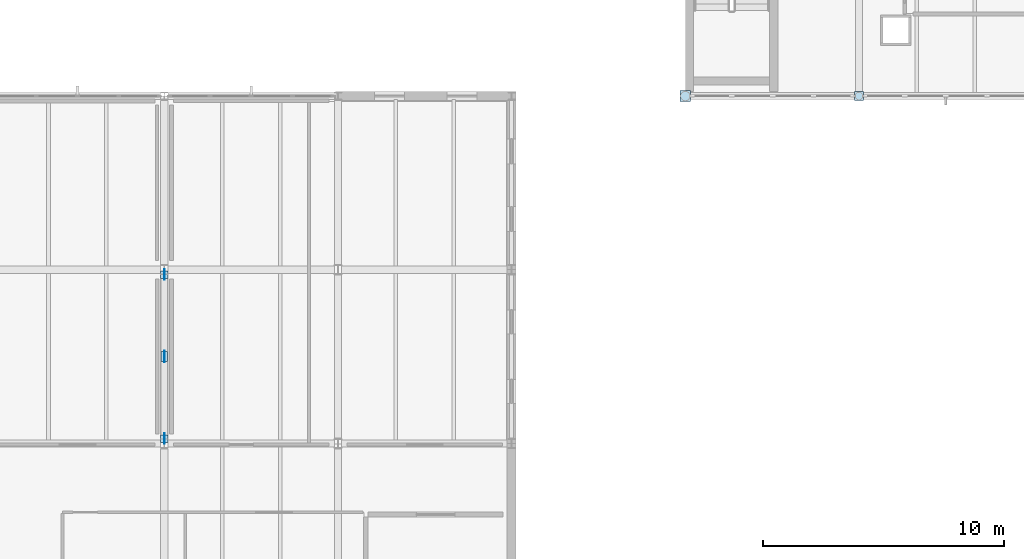
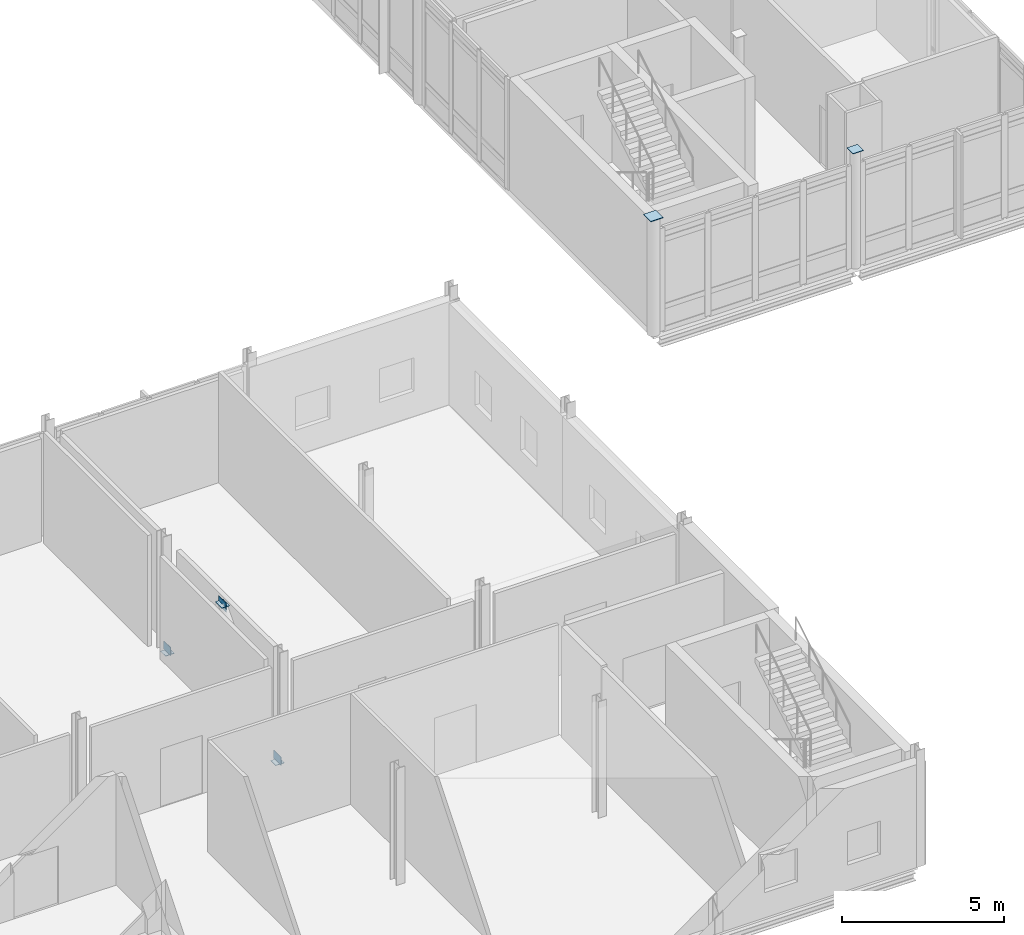
# One storey, part 46 of 76: 8 plates.
"""IFC4 building model written with IfcOpenShell, lengths in metres."""

from ifc_helpers import new_model, si_unit, direction, frame, origin, origin_2d, place, context, subcontext, project, spatial, rectangle, extrude, material, layer, layer_set, type_object, element, save


model = new_model("IFC4")

# Units and contexts
model_context = context("Model", 3, precision=1e-05, world=origin(), true_north=direction((0.0, 1.0)))
body_context = subcontext(model_context, "Body", "Model", "MODEL_VIEW")
ifc_project = project(units=[si_unit("LENGTHUNIT", "METRE"), si_unit("AREAUNIT", "SQUARE_METRE"), si_unit("VOLUMEUNIT", "CUBIC_METRE"), si_unit("PLANEANGLEUNIT", "RADIAN"), si_unit("MASSUNIT", "GRAM", prefix="KILO")], contexts=[model_context])

# Site, building, storey
site_placement = place(None, origin())
site = spatial("IfcSite", under=ifc_project, at=site_placement, CompositionType="ELEMENT")
building_placement = place(site_placement, origin())
building = spatial("IfcBuilding", under=site, at=building_placement, Name="Zarrinpeak Specialist Clinic", CompositionType="ELEMENT")
storey_placement = place(building_placement, frame((0.0, 0.0, 5.199951171875)))
storey = spatial("IfcBuildingStorey", under=building, at=storey_placement, Name="L01", CompositionType="ELEMENT", Elevation=5.199951171875)

# Plates
ifc_material = material(Name="Steel S355", Category="steel")
ifc_layer_1 = layer(ifc_material, 0.01806640625)
ifc_layer_set_1 = layer_set([ifc_layer_1], Name="Steel S355")
plate_type_1 = type_object("IfcPlateType", Name="PL-CAP273", PredefinedType="SHEET", material=ifc_layer_set_1)
for number, where, z_axis, x_axis, name in (
    (1, (72.0, 14.60009765625, 0.0), (0.0, 0.0, 1.0), (1.0, 0.0, 0.0), "V4 L01 Hollow Brace Foot Cap Plate A"),
    (2, (72.0, 21.39990234375, 0.0), (0.0, 0.0, 1.0), (1.0, 0.0, 0.0), "V4 L01 Hollow Brace Foot Cap Plate B"),
):
    element("IfcPlate", number, at=place(storey_placement, frame(where, z_axis=z_axis, x_axis=x_axis)), inside=storey, type_object=plate_type_1, Name=name, PredefinedType="SHEET", context=body_context, shape_type="SweptSolid", body=[
        extrude(rectangle(XDim=0.31005859375, YDim=0.31005859375, at=origin_2d()), origin(), (0.0, 0.0, 1.0), 0.01806640625),
    ])
ifc_layer_2 = layer(ifc_material, 0.02001953125)
ifc_layer_set_2 = layer_set([ifc_layer_2], Name="Steel S355")
plate_type_2 = type_object("IfcPlateType", Name="PL-CAP324", PredefinedType="SHEET", material=ifc_layer_set_2)
plate_1_placement = place(storey_placement, frame((100.800048828125, 28.800048828125, 4.39599609375), z_axis=(0.0, 0.0, 1.0), x_axis=(1.0, 0.0, 0.0)))
element("IfcPlate", 3, at=plate_1_placement, inside=storey, type_object=plate_type_2, Name="L01 Hollow Column Top Cap Plate CCAP-T-071", PredefinedType="SHEET", context=body_context, shape_type="SweptSolid", body=[
    extrude(rectangle(XDim=0.3701171875, YDim=0.3701171875, at=origin_2d()), origin(), (0.0, 0.0, 1.0), 0.02001953125),
])
ifc_layer_3 = layer(ifc_material, 0.02197265625)
ifc_layer_set_3 = layer_set([ifc_layer_3], Name="Steel S355")
plate_type_3 = type_object("IfcPlateType", Name="PL-CAP406", PredefinedType="SHEET", material=ifc_layer_set_3)
plate_2_placement = place(storey_placement, frame((93.60009765625, 28.800048828125, 4.39599609375), z_axis=(0.0, 0.0, 1.0), x_axis=(1.0, 0.0, 0.0)))
element("IfcPlate", 4, at=plate_2_placement, inside=storey, type_object=plate_type_3, Name="L01 Hollow Column Top Cap Plate CCAP-T-066", PredefinedType="SHEET", context=body_context, shape_type="SweptSolid", body=[
    extrude(rectangle(XDim=0.449951171875, YDim=0.449951171875, at=origin_2d()), origin(), (0.0, 0.0, 1.0), 0.02197265625),
])
ifc_layer_4 = layer(ifc_material, 0.02001953125)
ifc_layer_set_4 = layer_set([ifc_layer_4], Name="Steel S355")
plate_type_4 = type_object("IfcPlateType", Name="PL-GN01", PredefinedType="SHEET", material=ifc_layer_set_4)
plate_3_placement = place(storey_placement, frame((72.0, 18.0, 3.72509765625), z_axis=(0.0, 0.0, 1.0), x_axis=(1.0, 0.0, 0.0)))
element("IfcPlate", 5, at=plate_3_placement, inside=storey, type_object=plate_type_4, Name="V4 L01 Chevron Gusset Node Plate GN-V4-L01", PredefinedType="SHEET", context=body_context, shape_type="SweptSolid", body=[
    extrude(rectangle(XDim=0.02001953125, YDim=0.47998046875, at=origin_2d()), origin(), (0.0, 0.0, 1.0), 0.340087890625),
])
ifc_layer_5 = layer(ifc_material, 0.01611328125)
ifc_layer_set_5 = layer_set([ifc_layer_5], Name="Steel S355")
plate_type_5 = type_object("IfcPlateType", Name="PL-GN02", PredefinedType="SHEET", material=ifc_layer_set_5)
plate_4_placement = place(storey_placement, frame((72.0, 18.0, 3.89306640625), z_axis=(0.0, 0.0, 1.0), x_axis=(1.0, 0.0, 0.0)))
element("IfcPlate", 6, at=plate_4_placement, inside=storey, type_object=plate_type_5, Name="V4 L01 Chevron Apex Seal Plate GNCAP-V4-L01", PredefinedType="SHEET", context=body_context, shape_type="SweptSolid", body=[
    extrude(rectangle(XDim=0.280029296875, YDim=0.39990234375, at=origin_2d()), origin(), (0.0, 0.0, 1.0), 0.01611328125),
])
ifc_layer_6 = layer(ifc_material, 0.01806640625)
ifc_layer_set_6 = layer_set([ifc_layer_6], Name="Steel S355")
plate_type_6 = type_object("IfcPlateType", Name="PL-GN03", PredefinedType="SHEET", material=ifc_layer_set_6)
for number, where, z_axis, x_axis, name in (
    (7, (72.0, 14.60009765625, 0.005126953125), (0.0, 0.0, 1.0), (1.0, 0.0, 0.0), "V4 L01 Brace Foot Gusset Plate GNF-V4-L01-A"),
    (8, (72.0, 21.39990234375, 0.005126953125), (0.0, 0.0, 1.0), (1.0, 0.0, 0.0), "V4 L01 Brace Foot Gusset Plate GNF-V4-L01-B"),
):
    element("IfcPlate", number, at=place(storey_placement, frame(where, z_axis=z_axis, x_axis=x_axis)), inside=storey, type_object=plate_type_6, Name=name, PredefinedType="SHEET", context=body_context, shape_type="SweptSolid", body=[
        extrude(rectangle(XDim=0.01806640625, YDim=0.43994140625, at=origin_2d()), origin(), (0.0, 0.0, 1.0), 0.31005859375),
    ])

save(model, "model.ifc")
